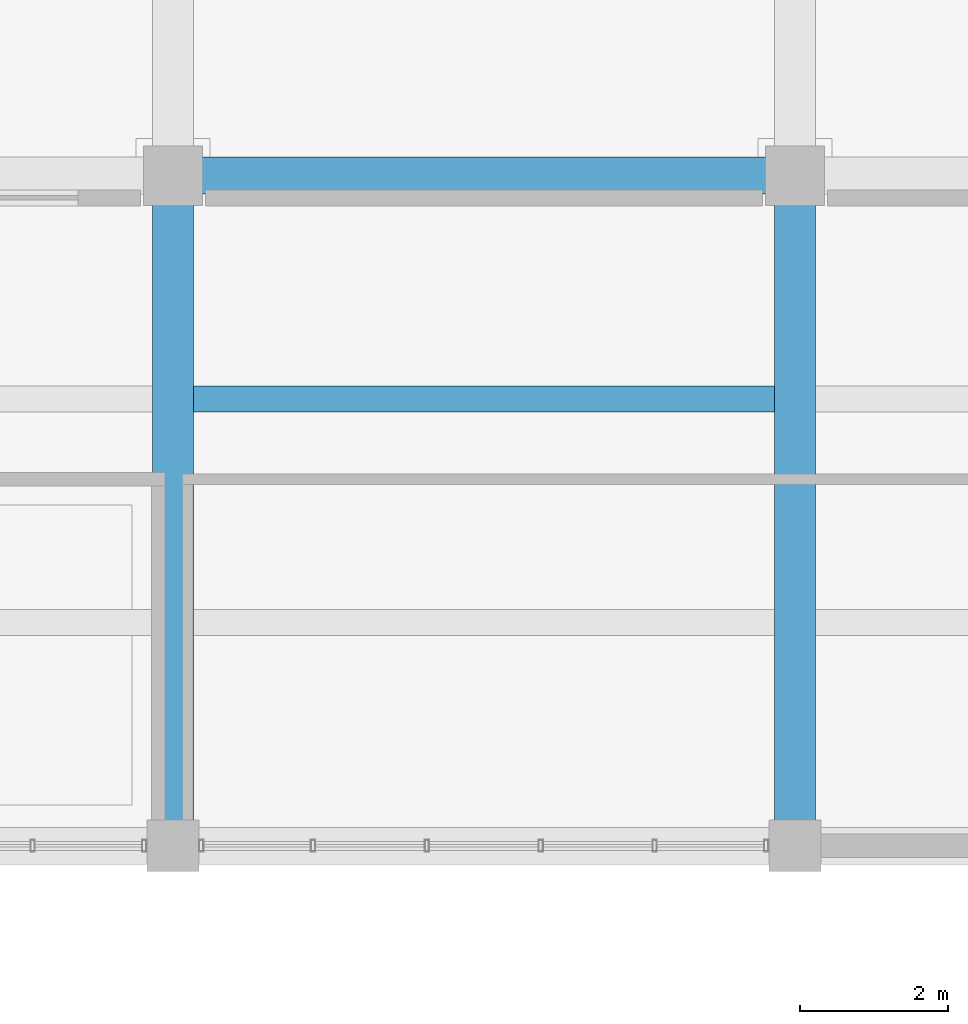
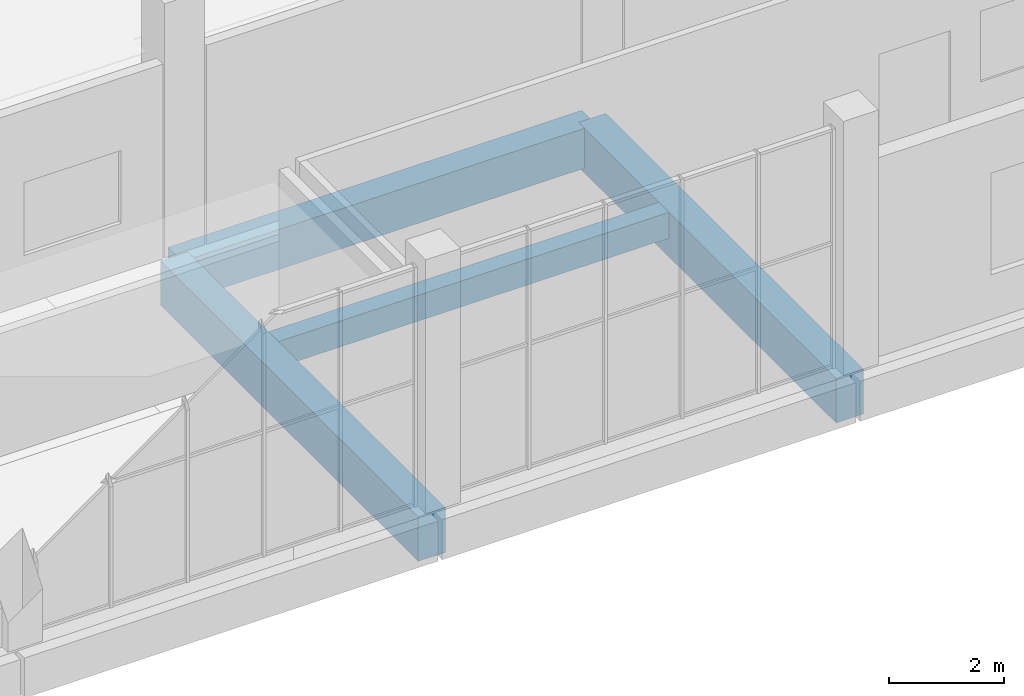
# One storey, part 49 of 91: 4 beams.
"""IFC4 building model written with IfcOpenShell, lengths in metres."""

from ifc_helpers import new_model, si_unit, direction, frame, origin, origin_2d, place, context, subcontext, project, spatial, rectangle, extrude, material, material_profile, profile_set, type_object, element, save


model = new_model("IFC4")

# Units and contexts
model_context = context("Model", 3, precision=1e-05, world=origin(), true_north=direction((0.0, 1.0)))
body_context = subcontext(model_context, "Body", "Model", "MODEL_VIEW")
ifc_project = project(units=[si_unit("LENGTHUNIT", "METRE"), si_unit("AREAUNIT", "SQUARE_METRE"), si_unit("VOLUMEUNIT", "CUBIC_METRE"), si_unit("PLANEANGLEUNIT", "RADIAN"), si_unit("MASSUNIT", "GRAM", prefix="KILO")], contexts=[model_context])

# Site, building, storey
site_placement = place(None, origin())
site = spatial("IfcSite", under=ifc_project, at=site_placement, CompositionType="ELEMENT")
building_placement = place(site_placement, origin())
building = spatial("IfcBuilding", under=site, at=building_placement, Name="Khurvash Pelagic Aquarium", CompositionType="ELEMENT")
storey_placement = place(building_placement, origin())
storey = spatial("IfcBuildingStorey", under=building, at=storey_placement, Name="L00", CompositionType="ELEMENT", Elevation=0.0)

# Beams
ifc_material_1 = material(Name="Concrete C40/50", Category="concrete")
ifc_material_profile_1 = material_profile(ifc_material_1, rectangle(XDim=0.550048828125, YDim=0.949951171875, at=origin_2d()), Name="RC550X950")
ifc_profile_set_1 = profile_set([ifc_material_profile_1], Name="Concrete C40/50")
beam_type_1 = type_object("IfcBeamType", Name="BM-02", PredefinedType="BEAM", material=ifc_profile_set_1)
for number, where, z_axis, x_axis, name in (
    (1, (84.0, 84.090087890625, -0.794921875), (0.0, 1.0, 0.0), (-1.0, 0.0, 0.0), "L00 Primary Girder BM-02 00119"),
    (2, (92.39990234375, 84.090087890625, -0.794921875), (0.0, 1.0, 0.0), (-1.0, 0.0, 0.0), "L00 Primary Girder BM-02 00124"),
):
    element("IfcBeam", number, at=place(storey_placement, frame(where, z_axis=z_axis, x_axis=x_axis)), inside=storey, type_object=beam_type_1, Name=name, PredefinedType="BEAM", context=body_context, shape_type="SweptSolid", body=[
        extrude(rectangle(XDim=0.550048828125, YDim=0.949951171875, at=origin_2d()), origin(), (0.0, 0.0, 1.0), 8.969970703125),
    ])
ifc_material_profile_2 = material_profile(ifc_material_1, rectangle(XDim=0.5, YDim=0.85009765625, at=origin_2d()), Name="RC500X850")
ifc_profile_set_2 = profile_set([ifc_material_profile_2], Name="Concrete C40/50")
beam_type_2 = type_object("IfcBeamType", Name="BM-03", PredefinedType="BEAM", material=ifc_profile_set_2)
beam_1_placement = place(storey_placement, frame((84.0400390625, 93.10009765625, -0.7451171875), z_axis=(1.0, 0.0, 0.0), x_axis=(0.0, 1.0, 0.0)))
element("IfcBeam", 3, at=beam_1_placement, inside=storey, type_object=beam_type_2, Name="L00 Primary Girder BM-03 00065", PredefinedType="BEAM", context=body_context, shape_type="SweptSolid", body=[
    extrude(rectangle(XDim=0.5, YDim=0.85009765625, at=origin_2d()), origin(), (0.0, 0.0, 1.0), 8.320068359375),
])
ifc_material_2 = material(Name="Concrete C35/45", Category="concrete")
ifc_material_profile_3 = material_profile(ifc_material_2, rectangle(XDim=0.35009765625, YDim=0.550048828125, at=origin_2d()), Name="RC350X550")
ifc_profile_set_3 = profile_set([ifc_material_profile_3], Name="Concrete C35/45")
beam_type_3 = type_object("IfcBeamType", Name="JS-01", PredefinedType="JOIST", material=ifc_profile_set_3)
beam_2_placement = place(storey_placement, frame((84.27490234375, 90.0830078125, -0.594970703125), z_axis=(1.0, 0.0, 0.0), x_axis=(0.0, 1.0, 0.0)))
element("IfcBeam", 4, at=beam_2_placement, inside=storey, type_object=beam_type_3, Name="L00 Floor Joist JS-01 00216", PredefinedType="JOIST", context=body_context, shape_type="SweptSolid", body=[
    extrude(rectangle(XDim=0.35009765625, YDim=0.550048828125, at=origin_2d()), origin(), (0.0, 0.0, 1.0), 7.85009765625),
])

save(model, "model.ifc")
